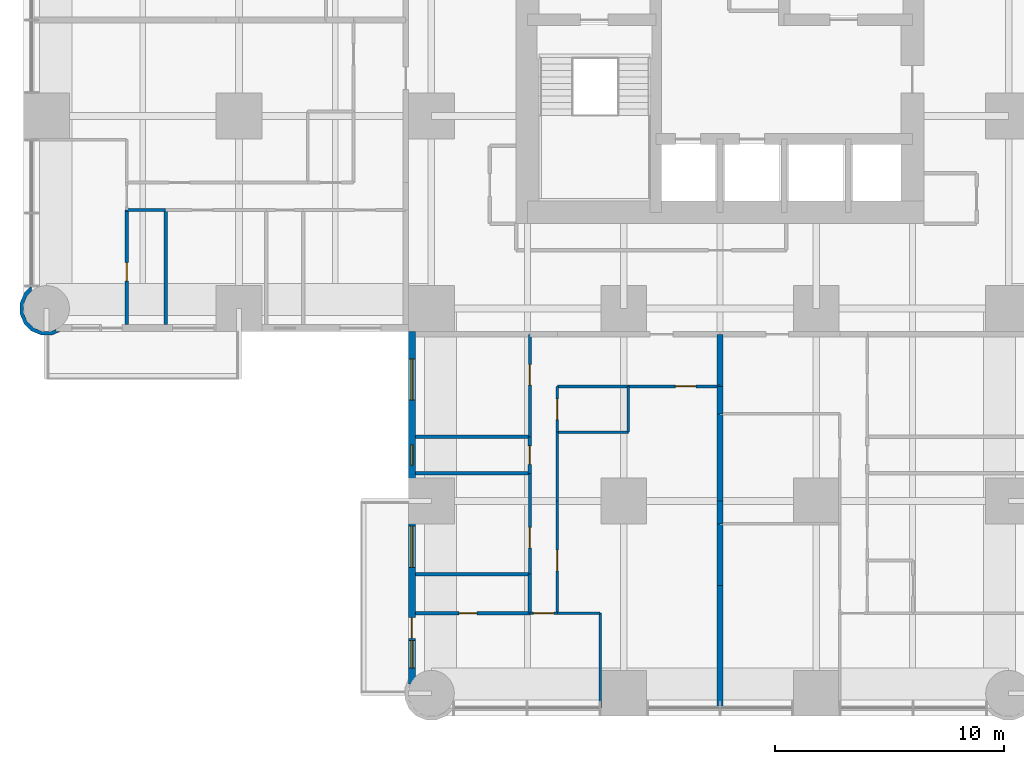
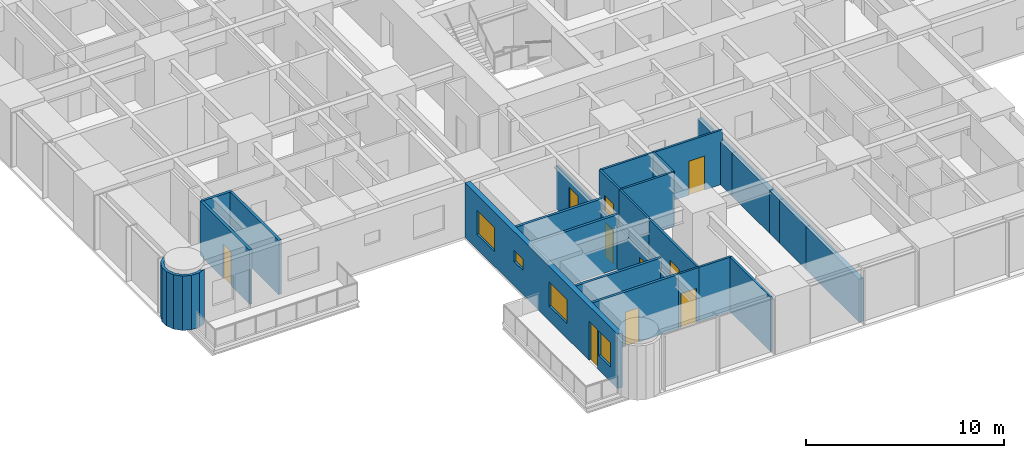
# One storey, part 7 of 17: 29 walls, 10 doors, 4 windows, 14 openings.
"""IFC4 building model written with IfcOpenShell, lengths in metres."""

from ifc_helpers import new_model, si_unit, direction, frame, frame_2d, origin, place, context, subcontext, project, spatial, polyline, rectangle, outline, extrude, material, layer, layer_set, type_object, element, fill, save


model = new_model("IFC4")

# Units and contexts
model_context = context("Model", 3, precision=1e-05, world=origin(), true_north=direction((0.0, 1.0)))
body_context = subcontext(model_context, "Body", "Model", "MODEL_VIEW")
ifc_project = project(units=[si_unit("LENGTHUNIT", "METRE"), si_unit("AREAUNIT", "SQUARE_METRE"), si_unit("VOLUMEUNIT", "CUBIC_METRE"), si_unit("PLANEANGLEUNIT", "RADIAN"), si_unit("MASSUNIT", "GRAM", prefix="KILO")], contexts=[model_context])

# Site, building, storey
site_placement = place(None, origin())
site = spatial("IfcSite", under=ifc_project, at=site_placement, CompositionType="ELEMENT")
building_placement = place(site_placement, origin())
building = spatial("IfcBuilding", under=site, at=building_placement, Name="Torre Alcanfor", CompositionType="ELEMENT")
storey_placement = place(building_placement, frame((0.0, 0.0, 99.300048828125)))
storey = spatial("IfcBuildingStorey", under=building, at=storey_placement, Name="L25", CompositionType="ELEMENT", Elevation=99.300048828125)

# Wall, opening, door
ifc_material_1 = material(Name="Gypsum board on steel studs", Category="steel")
ifc_layer_1 = layer(ifc_material_1, 0.1201171875)
ifc_layer_set_1 = layer_set([ifc_layer_1], Name="Apartment partition 120")
wall_type_1 = type_object("IfcWallType", Name="Apartment partition 120", PredefinedType="PARTITIONING", material=ifc_layer_set_1)
wall_1_placement = place(storey_placement, frame((29.39990234375, 13.39990234375, 0.0), z_axis=(0.0, 0.0, 1.0), x_axis=(-1.0, 0.0, 0.0)))
wall_1 = element("IfcWall", 1, at=wall_1_placement, inside=storey, type_object=wall_type_1, Name="Partition L25-S2-ZAG / L25-S2-KITCHEN", PredefinedType="PARTITIONING", context=body_context, shape_type="SweptSolid", body=[
    extrude(rectangle(XDim=4.0, YDim=0.1201171875, at=frame_2d((2.0, 0.0))), origin(), (0.0, 0.0, 1.0), 3.349853515625),
])
opening_1_placement = place(wall_1_placement, frame((1.050048828125, 0.0, 0.0)))
opening_1 = element("IfcOpeningElement", 2, at=opening_1_placement, cuts=wall_1, Name="Opening D-R1", PredefinedType="OPENING", context=body_context, shape_type="SweptSolid", body=[
    extrude(rectangle(XDim=0.89990234375, YDim=2.10009765625, at=frame_2d((0.449951171875, 1.050048828125))), frame((0.0, 0.070068359375, 0.0), z_axis=(0.0, -1.0, 0.0), x_axis=(1.0, 0.0, 0.0)), (0.0, 0.0, 1.0), 0.14013671875),
])
ifc_material_2 = material(Name="Timber", Category="wood")
door_type_1 = type_object("IfcDoorType", Name="Internal door 900x2100", OperationType="SINGLE_SWING_LEFT", PredefinedType="DOOR", material=ifc_material_2)
door_1_placement = place(opening_1_placement, origin())
door_1 = element("IfcDoor", 3, at=door_1_placement, inside=storey, type_object=door_type_1, Name="Door L25-S2 kitchen", OperationType="SINGLE_SWING_LEFT", OverallHeight=2.10009765625, OverallWidth=0.89990234375, PredefinedType="DOOR", context=body_context, shape_type="SweptSolid", body=[
    extrude(rectangle(XDim=0.89990234375, YDim=2.10009765625, at=frame_2d((0.449951171875, 1.050048828125))), frame((0.0, 0.02490234375, 0.0), z_axis=(0.0, -1.0, 0.0), x_axis=(1.0, 0.0, 0.0)), (0.0, 0.0, 1.0), 0.050048828125),
])
fill(opening_1, door_1)

# Walls
for number, where, z_axis, x_axis, name in (
    (4, (25.39990234375, 13.39990234375, 0.0), (0.0, 0.0, 1.0), (-1.0, 0.0, 0.0), "Partition L25-S2-ZAG / L25-S2-UTIL"),
    (5, (22.300048828125, 11.39990234375, 0.0), (0.0, 0.0, 1.0), (1.0, 0.0, 0.0), "Partition L25-S2-KITCHEN / L25-S2-UTIL"),
):
    element("IfcWall", number, at=place(storey_placement, frame(where, z_axis=z_axis, x_axis=x_axis)), inside=storey, type_object=wall_type_1, Name=name, PredefinedType="PARTITIONING", context=body_context, shape_type="SweptSolid", body=[
        extrude(rectangle(XDim=3.099853515625, YDim=0.1201171875, at=frame_2d((1.5498046875, 0.0))), origin(), (0.0, 0.0, 1.0), 3.349853515625),
    ])
wall_2_placement = place(storey_placement, frame((25.39990234375, 11.39990234375, 0.0), z_axis=(0.0, 0.0, 1.0), x_axis=(0.0, 1.0, 0.0)))
element("IfcWall", 6, at=wall_2_placement, inside=storey, type_object=wall_type_1, Name="Partition L25-S2-KITCHEN / L25-S2-UTIL", PredefinedType="PARTITIONING", context=body_context, shape_type="SweptSolid", body=[
    extrude(rectangle(XDim=2.0, YDim=0.1201171875, at=frame_2d((1.0, 0.0))), origin(), (0.0, 0.0, 1.0), 3.349853515625),
])
wall_3_placement = place(storey_placement, frame((22.300048828125, 8.39990234375, 0.0), z_axis=(0.0, 0.0, 1.0), x_axis=(0.0, 1.0, 0.0)))
element("IfcWall", 7, at=wall_3_placement, inside=storey, type_object=wall_type_1, Name="Partition L25-S2-KITCHEN / L25-S2-HALL", PredefinedType="PARTITIONING", context=body_context, shape_type="SweptSolid", body=[
    extrude(rectangle(XDim=3.0, YDim=0.1201171875, at=frame_2d((1.5, 0.0))), origin(), (0.0, 0.0, 1.0), 3.349853515625),
])

# Wall, opening, door
wall_4_placement = place(storey_placement, frame((22.300048828125, 11.39990234375, 0.0), z_axis=(0.0, 0.0, 1.0), x_axis=(0.0, 1.0, 0.0)))
wall_4 = element("IfcWall", 8, at=wall_4_placement, inside=storey, type_object=wall_type_1, Name="Partition L25-S2-UTIL / L25-S2-HALL", PredefinedType="PARTITIONING", context=body_context, shape_type="SweptSolid", body=[
    extrude(rectangle(XDim=2.0, YDim=0.1201171875, at=frame_2d((1.0, 0.0))), origin(), (0.0, 0.0, 1.0), 3.349853515625),
])
opening_2_placement = place(wall_4_placement, frame((0.550048828125, 0.0, 0.0)))
opening_2 = element("IfcOpeningElement", 9, at=opening_2_placement, cuts=wall_4, Name="Opening D-R1", PredefinedType="OPENING", context=body_context, shape_type="SweptSolid", body=[
    extrude(rectangle(XDim=0.89990234375, YDim=2.10009765625, at=frame_2d((0.449951171875, 1.050048828125))), frame((0.0, 0.070068359375, 0.0), z_axis=(0.0, -1.0, 0.0), x_axis=(1.0, 0.0, 0.0)), (0.0, 0.0, 1.0), 0.14013671875),
])
door_2_placement = place(opening_2_placement, frame((0.89990234375, 0.0, 0.0), z_axis=(0.0, 0.0, 1.0), x_axis=(-1.0, 0.0, 0.0)))
door_2 = element("IfcDoor", 10, at=door_2_placement, inside=storey, type_object=door_type_1, Name="Door L25-S2 util", OperationType="SINGLE_SWING_RIGHT", OverallHeight=2.10009765625, OverallWidth=0.89990234375, PredefinedType="DOOR", context=body_context, shape_type="SweptSolid", body=[
    extrude(rectangle(XDim=0.89990234375, YDim=2.10009765625, at=frame_2d((0.449951171875, 1.050048828125))), frame((0.0, 0.025146484375, 0.0), z_axis=(0.0, -1.0, 0.0), x_axis=(1.0, 0.0, 0.0)), (0.0, 0.0, 1.0), 0.050048828125),
])
fill(opening_2, door_2)

wall_5_placement = place(storey_placement, frame((22.300048828125, 3.5, 0.0), z_axis=(0.0, 0.0, 1.0), x_axis=(0.0, 1.0, 0.0)))
wall_5 = element("IfcWall", 11, at=wall_5_placement, inside=storey, type_object=wall_type_1, Name="Partition L25-S2-LIVING / L25-S2-HALL", PredefinedType="PARTITIONING", context=body_context, shape_type="SweptSolid", body=[
    extrude(rectangle(XDim=4.89990234375, YDim=0.1201171875, at=frame_2d((2.449951171875, 0.0))), origin(), (0.0, 0.0, 1.0), 3.349853515625),
])
opening_3_placement = place(wall_5_placement, frame((1.85009765625, 0.0, 0.0)))
opening_3 = element("IfcOpeningElement", 12, at=opening_3_placement, cuts=wall_5, Name="Opening D-R1", PredefinedType="OPENING", context=body_context, shape_type="SweptSolid", body=[
    extrude(rectangle(XDim=0.89990234375, YDim=2.10009765625, at=frame_2d((0.449951171875, 1.050048828125))), frame((0.0, 0.070068359375, 0.0), z_axis=(0.0, -1.0, 0.0), x_axis=(1.0, 0.0, 0.0)), (0.0, 0.0, 1.0), 0.14013671875),
])
door_3_placement = place(opening_3_placement, frame((0.89990234375, 0.0, 0.0), z_axis=(0.0, 0.0, 1.0), x_axis=(-1.0, 0.0, 0.0)))
door_3 = element("IfcDoor", 13, at=door_3_placement, inside=storey, type_object=door_type_1, Name="Door L25-S2 living", OperationType="SINGLE_SWING_RIGHT", OverallHeight=2.10009765625, OverallWidth=0.89990234375, PredefinedType="DOOR", context=body_context, shape_type="SweptSolid", body=[
    extrude(rectangle(XDim=0.89990234375, YDim=2.10009765625, at=frame_2d((0.449951171875, 1.050048828125))), frame((0.0, 0.025146484375, 0.0), z_axis=(0.0, -1.0, 0.0), x_axis=(1.0, 0.0, 0.0)), (0.0, 0.0, 1.0), 0.050048828125),
])
fill(opening_3, door_3)

# Walls
wall_6_placement = place(storey_placement, frame((24.1708984375, -0.64990234375, 0.0), z_axis=(0.0, 0.0, 1.0), x_axis=(0.0, 1.0, 0.0)))
element("IfcWall", 14, at=wall_6_placement, inside=storey, type_object=wall_type_1, Name="Partition L25-S2-LIVING / L25-S2-MASTER", PredefinedType="PARTITIONING", context=body_context, shape_type="SweptSolid", body=[
    extrude(rectangle(XDim=4.14990234375, YDim=0.1201171875, at=frame_2d((2.074951171875, 0.0))), origin(), (0.0, 0.0, 1.0), 3.349853515625),
])
wall_7_placement = place(storey_placement, frame((24.1708984375, 3.5, 0.0), z_axis=(0.0, 0.0, 1.0), x_axis=(-1.0, 0.0, 0.0)))
element("IfcWall", 15, at=wall_7_placement, inside=storey, type_object=wall_type_1, Name="Partition L25-S2-LIVING / L25-S2-MASTER", PredefinedType="PARTITIONING", context=body_context, shape_type="SweptSolid", body=[
    extrude(rectangle(XDim=1.870849609375, YDim=0.1201171875, at=frame_2d((0.935546875, 0.0))), origin(), (0.0, 0.0, 1.0), 3.349853515625),
])

# Wall, opening, door
wall_8_placement = place(storey_placement, frame((21.10009765625, 11.199951171875, 0.0), z_axis=(0.0, 0.0, 1.0), x_axis=(0.0, 1.0, 0.0)))
wall_8 = element("IfcWall", 16, at=wall_8_placement, inside=storey, type_object=wall_type_1, Name="Partition L25-S2-HALL / L25-S2-BED3", PredefinedType="PARTITIONING", context=body_context, shape_type="SweptSolid", body=[
    extrude(rectangle(XDim=4.47509765625, YDim=0.1201171875, at=frame_2d((2.237548828125, 0.0))), origin(), (0.0, 0.0, 1.0), 2.666748046875),
])
opening_4_placement = place(wall_8_placement, frame((2.25, 0.0, 0.0)))
opening_4 = element("IfcOpeningElement", 17, at=opening_4_placement, cuts=wall_8, Name="Opening D-R1", PredefinedType="OPENING", context=body_context, shape_type="SweptSolid", body=[
    extrude(rectangle(XDim=0.89990234375, YDim=2.10009765625, at=frame_2d((0.449951171875, 1.050048828125))), frame((0.0, 0.070068359375, 0.0), z_axis=(0.0, -1.0, 0.0), x_axis=(1.0, 0.0, 0.0)), (0.0, 0.0, 1.0), 0.14013671875),
])
door_4_placement = place(opening_4_placement, origin())
door_4 = element("IfcDoor", 18, at=door_4_placement, inside=storey, type_object=door_type_1, Name="Door L25-S2 bed3", OperationType="SINGLE_SWING_RIGHT", OverallHeight=2.10009765625, OverallWidth=0.89990234375, PredefinedType="DOOR", context=body_context, shape_type="SweptSolid", body=[
    extrude(rectangle(XDim=0.89990234375, YDim=2.10009765625, at=frame_2d((0.449951171875, 1.050048828125))), frame((0.0, 0.02490234375, 0.0), z_axis=(0.0, -1.0, 0.0), x_axis=(1.0, 0.0, 0.0)), (0.0, 0.0, 1.0), 0.050048828125),
])
fill(opening_4, door_4)

wall_9_placement = place(storey_placement, frame((21.10009765625, 5.199951171875, 0.0), z_axis=(0.0, 0.0, 1.0), x_axis=(0.0, 1.0, 0.0)))
wall_9 = element("IfcWall", 19, at=wall_9_placement, inside=storey, type_object=wall_type_1, Name="Partition L25-S2-HALL / L25-S2-BED2", PredefinedType="PARTITIONING", context=body_context, shape_type="SweptSolid", body=[
    extrude(rectangle(XDim=4.400146484375, YDim=0.1201171875, at=frame_2d((2.2001953125, 0.0))), origin(), (0.0, 0.0, 1.0), 2.666748046875),
])
opening_5_placement = place(wall_9_placement, frame((1.14990234375, 0.0, 0.0)))
opening_5 = element("IfcOpeningElement", 20, at=opening_5_placement, cuts=wall_9, Name="Opening D-R1", PredefinedType="OPENING", context=body_context, shape_type="SweptSolid", body=[
    extrude(rectangle(XDim=0.89990234375, YDim=2.10009765625, at=frame_2d((0.449951171875, 1.050048828125))), frame((0.0, 0.070068359375, 0.0), z_axis=(0.0, -1.0, 0.0), x_axis=(1.0, 0.0, 0.0)), (0.0, 0.0, 1.0), 0.14013671875),
])
door_5_placement = place(opening_5_placement, origin())
door_5 = element("IfcDoor", 21, at=door_5_placement, inside=storey, type_object=door_type_1, Name="Door L25-S2 bed2", OperationType="SINGLE_SWING_LEFT", OverallHeight=2.10009765625, OverallWidth=0.89990234375, PredefinedType="DOOR", context=body_context, shape_type="SweptSolid", body=[
    extrude(rectangle(XDim=0.89990234375, YDim=2.10009765625, at=frame_2d((0.449951171875, 1.050048828125))), frame((0.0, 0.02490234375, 0.0), z_axis=(0.0, -1.0, 0.0), x_axis=(1.0, 0.0, 0.0)), (0.0, 0.0, 1.0), 0.050048828125),
])
fill(opening_5, door_5)

wall_10_placement = place(storey_placement, frame((22.300048828125, 3.5, 0.0), z_axis=(0.0, 0.0, 1.0), x_axis=(-1.0, 0.0, 0.0)))
wall_10 = element("IfcWall", 22, at=wall_10_placement, inside=storey, type_object=wall_type_1, Name="Partition L25-S2-HALL / L25-S2-MASTER", PredefinedType="PARTITIONING", context=body_context, shape_type="SweptSolid", body=[
    extrude(rectangle(XDim=1.199951171875, YDim=0.1201171875, at=frame_2d((0.60009765625, 0.0))), origin(), (0.0, 0.0, 1.0), 3.349853515625),
])
opening_6_placement = place(wall_10_placement, frame((0.14990234375, 0.0, 0.0)))
opening_6 = element("IfcOpeningElement", 23, at=opening_6_placement, cuts=wall_10, Name="Opening D-R1", PredefinedType="OPENING", context=body_context, shape_type="SweptSolid", body=[
    extrude(rectangle(XDim=0.89990234375, YDim=2.10009765625, at=frame_2d((0.449951171875, 1.050048828125))), frame((0.0, 0.070068359375, 0.0), z_axis=(0.0, -1.0, 0.0), x_axis=(1.0, 0.0, 0.0)), (0.0, 0.0, 1.0), 0.14013671875),
])
door_6_placement = place(opening_6_placement, origin())
door_6 = element("IfcDoor", 24, at=door_6_placement, inside=storey, type_object=door_type_1, Name="Door L25-S2 master", OperationType="SINGLE_SWING_LEFT", OverallHeight=2.10009765625, OverallWidth=0.89990234375, PredefinedType="DOOR", context=body_context, shape_type="SweptSolid", body=[
    extrude(rectangle(XDim=0.89990234375, YDim=2.10009765625, at=frame_2d((0.449951171875, 1.050048828125))), frame((0.0, 0.02490234375, 0.0), z_axis=(0.0, -1.0, 0.0), x_axis=(1.0, 0.0, 0.0)), (0.0, 0.0, 1.0), 0.050048828125),
])
fill(opening_6, door_6)

# Wall, openings, door, windows
ifc_material_3 = material(Name="Limestone cladding", Category="masonry")
ifc_layer_2 = layer(ifc_material_3, 0.0400390625, Name="Facing")
ifc_material_4 = material(Name="Ventilated air cavity")
ifc_layer_3 = layer(ifc_material_4, 0.02001953125, ventilated=True, Name="Ventilated joint")
ifc_material_5 = material(Name="Mineral wool insulation", Category="insulation")
ifc_layer_4 = layer(ifc_material_5, 0.10009765625, Name="Insulation")
ifc_material_6 = material(Name="Concrete f'c 35 MPa", Category="concrete")
ifc_layer_5 = layer(ifc_material_6, 0.139892578125, Name="Backing")
ifc_layer_set_2 = layer_set([ifc_layer_2, ifc_layer_3, ifc_layer_4, ifc_layer_5], Name="External wall stone-clad 300")
wall_type_2 = type_object("IfcWallType", Name="External wall stone-clad 300", PredefinedType="SOLIDWALL", material=ifc_layer_set_2)
wall_11_placement = place(storey_placement, frame((15.949951171875, 15.800048828125, 0.0), z_axis=(0.0, 0.0, 1.0), x_axis=(0.0, -1.0, 0.0)))
wall_11 = element("IfcWall", 25, at=wall_11_placement, inside=storey, type_object=wall_type_2, Name="External wall L25 4", PredefinedType="SOLIDWALL", context=body_context, shape_type="SweptSolid", body=[
    extrude(rectangle(XDim=15.400146484375, YDim=0.300048828125, at=frame_2d((7.7001953125, 0.0))), origin(), (0.0, 0.0, 1.0), 3.349853515625),
])
opening_7_placement = place(wall_11_placement, frame((1.199951171875, 0.0, 0.89990234375)))
opening_7 = element("IfcOpeningElement", 26, at=opening_7_placement, cuts=wall_11, Name="Opening W2", PredefinedType="OPENING", context=body_context, shape_type="SweptSolid", body=[
    extrude(rectangle(XDim=1.800048828125, YDim=1.5, at=frame_2d((0.89990234375, 0.75))), frame((0.0, 0.159912109375, 0.0), z_axis=(0.0, -1.0, 0.0), x_axis=(1.0, 0.0, 0.0)), (0.0, 0.0, 1.0), 0.320068359375),
])
opening_8_placement = place(wall_11_placement, frame((4.949951171875, 0.0, 1.5)))
opening_8 = element("IfcOpeningElement", 27, at=opening_8_placement, cuts=wall_11, Name="Opening W3", PredefinedType="OPENING", context=body_context, shape_type="SweptSolid", body=[
    extrude(rectangle(XDim=0.89990234375, YDim=0.699951171875, at=frame_2d((0.449951171875, 0.35009765625))), frame((0.0, 0.159912109375, 0.0), z_axis=(0.0, -1.0, 0.0), x_axis=(1.0, 0.0, 0.0)), (0.0, 0.0, 1.0), 0.320068359375),
])
opening_9_placement = place(wall_11_placement, frame((8.5, 0.0, 0.89990234375)))
opening_9 = element("IfcOpeningElement", 28, at=opening_9_placement, cuts=wall_11, Name="Opening W2", PredefinedType="OPENING", context=body_context, shape_type="SweptSolid", body=[
    extrude(rectangle(XDim=1.800048828125, YDim=1.5, at=frame_2d((0.89990234375, 0.75))), frame((0.0, 0.159912109375, 0.0), z_axis=(0.0, -1.0, 0.0), x_axis=(1.0, 0.0, 0.0)), (0.0, 0.0, 1.0), 0.320068359375),
])
opening_10_placement = place(wall_11_placement, frame((12.5, 0.0, 0.0)))
opening_10 = element("IfcOpeningElement", 29, at=opening_10_placement, cuts=wall_11, Name="Opening D-B1", PredefinedType="OPENING", context=body_context, shape_type="SweptSolid", body=[
    extrude(rectangle(XDim=0.89990234375, YDim=2.39990234375, at=frame_2d((0.449951171875, 1.199951171875))), frame((0.0, 0.159912109375, 0.0), z_axis=(0.0, -1.0, 0.0), x_axis=(1.0, 0.0, 0.0)), (0.0, 0.0, 1.0), 0.320068359375),
])
opening_11_placement = place(wall_11_placement, frame((13.5, 0.0, 0.89990234375)))
opening_11 = element("IfcOpeningElement", 30, at=opening_11_placement, cuts=wall_11, Name="Opening W4", PredefinedType="OPENING", context=body_context, shape_type="SweptSolid", body=[
    extrude(rectangle(XDim=1.199951171875, YDim=1.5, at=frame_2d((0.60009765625, 0.75))), frame((0.0, 0.159912109375, 0.0), z_axis=(0.0, -1.0, 0.0), x_axis=(1.0, 0.0, 0.0)), (0.0, 0.0, 1.0), 0.320068359375),
])
ifc_material_7 = material(Name="Aluminium and glass", Category="aluminium")
door_type_2 = type_object("IfcDoorType", Name="Balcony door glazed 900x2400", OperationType="SINGLE_SWING_LEFT", PredefinedType="DOOR", material=ifc_material_7)
door_7_placement = place(opening_10_placement, origin())
door_7 = element("IfcDoor", 31, at=door_7_placement, inside=storey, type_object=door_type_2, Name="Balcony door L25-S2", OperationType="SINGLE_SWING_LEFT", OverallHeight=2.39990234375, OverallWidth=0.89990234375, PredefinedType="DOOR", context=body_context, shape_type="SweptSolid", body=[
    extrude(rectangle(XDim=0.89990234375, YDim=2.39990234375, at=frame_2d((0.449951171875, 1.199951171875))), frame((0.0, 0.02490234375, 0.0), z_axis=(0.0, -1.0, 0.0), x_axis=(1.0, 0.0, 0.0)), (0.0, 0.0, 1.0), 0.050048828125),
])
fill(opening_10, door_7)
ifc_material_8 = material(Name="Aluminium frame with clear double glazing", Category="aluminium")
window_type_1 = type_object("IfcWindowType", Name="Window bathroom 900x700", PartitioningType="SINGLE_PANEL", PredefinedType="WINDOW", material=ifc_material_8)
window_1_placement = place(opening_8_placement, origin())
window_1 = element("IfcWindow", 32, at=window_1_placement, inside=storey, type_object=window_type_1, Name="Window W3 L25-S2", OverallHeight=0.699951171875, OverallWidth=0.89990234375, PartitioningType="SINGLE_PANEL", PredefinedType="WINDOW", context=body_context, shape_type="SweptSolid", body=[
    extrude(rectangle(XDim=0.89990234375, YDim=0.699951171875, at=frame_2d((0.449951171875, 0.35009765625))), frame((0.0, 0.030029296875, 0.0), z_axis=(0.0, -1.0, 0.0), x_axis=(1.0, 0.0, 0.0)), (0.0, 0.0, 1.0), 0.06005859375),
])
fill(opening_8, window_1)
ifc_material_9 = material(Name="Aluminium frame with clear double glazing", Category="aluminium")
window_type_2 = type_object("IfcWindowType", Name="Window bedroom 1200x1500", PartitioningType="SINGLE_PANEL", PredefinedType="WINDOW", material=ifc_material_9)
window_2_placement = place(opening_11_placement, origin())
window_2 = element("IfcWindow", 33, at=window_2_placement, inside=storey, type_object=window_type_2, Name="Window W4 L25-S2", OverallHeight=1.5, OverallWidth=1.199951171875, PartitioningType="SINGLE_PANEL", PredefinedType="WINDOW", context=body_context, shape_type="SweptSolid", body=[
    extrude(rectangle(XDim=1.199951171875, YDim=1.5, at=frame_2d((0.60009765625, 0.75))), frame((0.0, 0.030029296875, 0.0), z_axis=(0.0, -1.0, 0.0), x_axis=(1.0, 0.0, 0.0)), (0.0, 0.0, 1.0), 0.06005859375),
])
fill(opening_11, window_2)
ifc_material_10 = material(Name="Aluminium frame with clear double glazing", Category="aluminium")
window_type_3 = type_object("IfcWindowType", Name="Window bedroom 1800x1500", PartitioningType="SINGLE_PANEL", PredefinedType="WINDOW", material=ifc_material_10)
window_3_placement = place(opening_7_placement, origin())
window_3 = element("IfcWindow", 34, at=window_3_placement, inside=storey, type_object=window_type_3, Name="Window W2 L25-S2", OverallHeight=1.5, OverallWidth=1.800048828125, PartitioningType="SINGLE_PANEL", PredefinedType="WINDOW", context=body_context, shape_type="SweptSolid", body=[
    extrude(rectangle(XDim=1.800048828125, YDim=1.5, at=frame_2d((0.89990234375, 0.75))), frame((0.0, 0.030029296875, 0.0), z_axis=(0.0, -1.0, 0.0), x_axis=(1.0, 0.0, 0.0)), (0.0, 0.0, 1.0), 0.06005859375),
])
fill(opening_7, window_3)
window_4_placement = place(opening_9_placement, origin())
window_4 = element("IfcWindow", 35, at=window_4_placement, inside=storey, type_object=window_type_3, Name="Window W2 L25-S2", OverallHeight=1.5, OverallWidth=1.800048828125, PartitioningType="SINGLE_PANEL", PredefinedType="WINDOW", context=body_context, shape_type="SweptSolid", body=[
    extrude(rectangle(XDim=1.800048828125, YDim=1.5, at=frame_2d((0.89990234375, 0.75))), frame((0.0, 0.030029296875, 0.0), z_axis=(0.0, -1.0, 0.0), x_axis=(1.0, 0.0, 0.0)), (0.0, 0.0, 1.0), 0.06005859375),
])
fill(opening_9, window_4)

# Walls
ifc_material_11 = material(Name="Concrete block masonry, hollow blocks NMX-C-404 9 MPa", Category="masonry")
ifc_layer_6 = layer(ifc_material_11, 0.25)
ifc_layer_set_3 = layer_set([ifc_layer_6], Name="Party wall 250 EI 60")
wall_type_3 = type_object("IfcWallType", Name="Party wall 250 EI 60", PredefinedType="PARTITIONING", material=ifc_layer_set_3)
wall_12_placement = place(storey_placement, frame((29.39990234375, 15.675048828125, 0.0), z_axis=(0.0, 0.0, 1.0), x_axis=(0.0, -1.0, 0.0)))
element("IfcWall", 36, at=wall_12_placement, inside=storey, type_object=wall_type_3, Name="Partition L25-S1-ZAG / L25-S2-ZAG", PredefinedType="PARTITIONING", context=body_context, shape_type="SweptSolid", body=[
    extrude(rectangle(XDim=2.275146484375, YDim=0.25, at=frame_2d((1.1376953125, 0.0))), origin(), (0.0, 0.0, 1.0), 2.666748046875),
])
wall_13_placement = place(storey_placement, frame((29.39990234375, 13.39990234375, 0.0), z_axis=(0.0, 0.0, 1.0), x_axis=(0.0, -1.0, 0.0)))
element("IfcWall", 37, at=wall_13_placement, inside=storey, type_object=wall_type_3, Name="Partition L25-S1-ZAG / L25-S2-KITCHEN", PredefinedType="PARTITIONING", context=body_context, shape_type="SweptSolid", body=[
    extrude(rectangle(XDim=1.199951171875, YDim=0.25, at=frame_2d((0.60009765625, 0.0))), origin(), (0.0, 0.0, 1.0), 2.666748046875),
])
wall_14_placement = place(storey_placement, frame((29.39990234375, 12.199951171875, 0.0), z_axis=(0.0, 0.0, 1.0), x_axis=(0.0, -1.0, 0.0)))
element("IfcWall", 38, at=wall_14_placement, inside=storey, type_object=wall_type_3, Name="Partition L25-S1-FAMILY / L25-S2-KITCHEN", PredefinedType="PARTITIONING", context=body_context, shape_type="SweptSolid", body=[
    extrude(rectangle(XDim=3.800048828125, YDim=0.25, at=frame_2d((1.89990234375, 0.0))), origin(), (0.0, 0.0, 1.0), 2.666748046875),
])
wall_15_placement = place(storey_placement, frame((29.39990234375, 8.39990234375, 0.0), z_axis=(0.0, 0.0, 1.0), x_axis=(0.0, -1.0, 0.0)))
element("IfcWall", 39, at=wall_15_placement, inside=storey, type_object=wall_type_3, Name="Partition L25-S1-FAMILY / L25-S2-LIVING", PredefinedType="PARTITIONING", context=body_context, shape_type="SweptSolid", body=[
    extrude(rectangle(XDim=1.0, YDim=0.25, at=frame_2d((0.5, 0.0))), origin(), (0.0, 0.0, 1.0), 2.666748046875),
])
wall_16_placement = place(storey_placement, frame((29.39990234375, 7.39990234375, 0.0), z_axis=(0.0, 0.0, 1.0), x_axis=(0.0, -1.0, 0.0)))
element("IfcWall", 40, at=wall_16_placement, inside=storey, type_object=wall_type_3, Name="Partition L25-S1-KITCHEN / L25-S2-LIVING", PredefinedType="PARTITIONING", context=body_context, shape_type="SweptSolid", body=[
    extrude(rectangle(XDim=2.699951171875, YDim=0.25, at=frame_2d((1.35009765625, 0.0))), origin(), (0.0, 0.0, 1.0), 2.666748046875),
])
wall_17_placement = place(storey_placement, frame((29.39990234375, 4.699951171875, 0.0), z_axis=(0.0, 0.0, 1.0), x_axis=(0.0, -1.0, 0.0)))
element("IfcWall", 41, at=wall_17_placement, inside=storey, type_object=wall_type_3, Name="Partition L25-S1-LIVING / L25-S2-LIVING", PredefinedType="PARTITIONING", context=body_context, shape_type="SweptSolid", body=[
    extrude(rectangle(XDim=5.349853515625, YDim=0.25, at=frame_2d((2.6748046875, 0.0))), origin(), (0.0, 0.0, 1.0), 2.666748046875),
])
ifc_layer_7 = layer(ifc_material_3, 0.0400390625, Name="Facing")
ifc_layer_8 = layer(ifc_material_4, 0.02001953125, ventilated=True, Name="Ventilated joint")
ifc_layer_9 = layer(ifc_material_5, 0.10009765625, Name="Insulation")
ifc_layer_10 = layer(ifc_material_6, 0.139892578125, Name="Backing")
ifc_layer_set_4 = layer_set([ifc_layer_7, ifc_layer_8, ifc_layer_9, ifc_layer_10], Name="Rounded corner pier stone-clad 300")
wall_type_4 = type_object("IfcWallType", Name="Rounded corner pier stone-clad 300", PredefinedType="SOLIDWALL", material=ifc_layer_set_4)
wall_18_placement = place(storey_placement, frame((-0.643275148, 17.667523535, 0.0), z_axis=(0.0, 0.0, 1.0), x_axis=(-0.831199417842, -0.555974394895, 0.0)))
element("IfcWall", 42, at=wall_18_placement, inside=storey, type_object=wall_type_4, Name="Corner pier L25 14", PredefinedType="SOLIDWALL", context=body_context, shape_type="SweptSolid", body=[
    extrude(outline(polyline([(0.1711795962868794, 2.1322238639333237), (0.11331991434814137, 2.066360534784921), (0.3385306263274189, 2.0214606425143806), (0.6697116443740095, 1.7999395945485634), (0.8906243154815436, 1.4688932382387638), (0.9683014763401089, 1.0782762019885972), (0.890375456717919, 0.687762152891243), (0.6689901446883555, 0.356784064390024), (0.33780805244230216, 0.13566846373711833), (0.06213435039934877, 0.08097286591496783), (-0.035866995575724744, -0.06554226584338904), (0.004515983953240654, -0.09255371715784835), (0.3997386010099072, -0.014138775317001168), (0.7834516070123592, 0.2420391289906345), (1.039992526531596, 0.6255759697431199), (1.1304051458628446, 1.0782309674187813), (1.040431554535663, 1.5308237868063688), (0.7843893861642811, 1.9147397223541924), (0.4008525454117956, 2.1712806418734294), (-0.009224769548548784, 2.2528931112627424), (0.1711795962868794, 2.1322238639333237)])), origin(), (0.0, 0.0, 1.0), 3.349853515625),
])

# Wall, opening, door
ifc_material_12 = material(Name="Cement board on steel studs", Category="steel")
ifc_layer_11 = layer(ifc_material_12, 0.14990234375)
ifc_layer_set_5 = layer_set([ifc_layer_11], Name="Wet area partition 150")
wall_type_5 = type_object("IfcWallType", Name="Wet area partition 150", PredefinedType="PARTITIONING", material=ifc_layer_set_5)
wall_19_placement = place(storey_placement, frame((21.10009765625, 9.60009765625, 0.0), z_axis=(0.0, 0.0, 1.0), x_axis=(0.0, 1.0, 0.0)))
wall_19 = element("IfcWall", 43, at=wall_19_placement, inside=storey, type_object=wall_type_5, Name="Partition L25-S2-HALL / L25-S2-BATH1", PredefinedType="PARTITIONING", context=body_context, shape_type="SweptSolid", body=[
    extrude(rectangle(XDim=1.599853515625, YDim=0.14990234375, at=frame_2d((0.7998046875, 0.0))), origin(), (0.0, 0.0, 1.0), 2.666748046875),
])
opening_12_placement = place(wall_19_placement, frame((0.39990234375, 0.0, 0.0)))
opening_12 = element("IfcOpeningElement", 44, at=opening_12_placement, cuts=wall_19, Name="Opening D-R2", PredefinedType="OPENING", context=body_context, shape_type="SweptSolid", body=[
    extrude(rectangle(XDim=0.800048828125, YDim=2.10009765625, at=frame_2d((0.39990234375, 1.050048828125))), frame((0.0, 0.0849609375, 0.0), z_axis=(0.0, -1.0, 0.0), x_axis=(1.0, 0.0, 0.0)), (0.0, 0.0, 1.0), 0.169921875),
])
ifc_material_13 = material(Name="Timber", Category="wood")
door_type_3 = type_object("IfcDoorType", Name="Bathroom door 800x2100", OperationType="SINGLE_SWING_LEFT", PredefinedType="DOOR", material=ifc_material_13)
door_8_placement = place(opening_12_placement, origin())
door_8 = element("IfcDoor", 45, at=door_8_placement, inside=storey, type_object=door_type_3, Name="Door L25-S2 bath1", OperationType="SINGLE_SWING_LEFT", OverallHeight=2.10009765625, OverallWidth=0.800048828125, PredefinedType="DOOR", context=body_context, shape_type="SweptSolid", body=[
    extrude(rectangle(XDim=0.800048828125, YDim=2.10009765625, at=frame_2d((0.39990234375, 1.050048828125))), frame((0.0, 0.02490234375, 0.0), z_axis=(0.0, -1.0, 0.0), x_axis=(1.0, 0.0, 0.0)), (0.0, 0.0, 1.0), 0.050048828125),
])
fill(opening_12, door_8)

# Walls
wall_20_placement = place(storey_placement, frame((21.10009765625, 3.5, 0.0), z_axis=(0.0, 0.0, 1.0), x_axis=(0.0, 1.0, 0.0)))
element("IfcWall", 46, at=wall_20_placement, inside=storey, type_object=wall_type_5, Name="Partition L25-S2-HALL / L25-S2-ENSBATH", PredefinedType="PARTITIONING", context=body_context, shape_type="SweptSolid", body=[
    extrude(rectangle(XDim=1.699951171875, YDim=0.14990234375, at=frame_2d((0.85009765625, 0.0))), origin(), (0.0, 0.0, 1.0), 2.666748046875),
])
for number, where, z_axis, x_axis, name in (
    (47, (21.10009765625, 11.199951171875, 0.0), (0.0, 0.0, 1.0), (-1.0, 0.0, 0.0), "Partition L25-S2-BED3 / L25-S2-BATH1"),
    (48, (21.10009765625, 9.60009765625, 0.0), (0.0, 0.0, 1.0), (-1.0, 0.0, 0.0), "Partition L25-S2-BATH1 / L25-S2-BED2"),
    (49, (21.10009765625, 5.199951171875, 0.0), (0.0, 0.0, 1.0), (-1.0, 0.0, 0.0), "Partition L25-S2-BED2 / L25-S2-ENSBATH"),
):
    element("IfcWall", number, at=place(storey_placement, frame(where, z_axis=z_axis, x_axis=x_axis)), inside=storey, type_object=wall_type_5, Name=name, PredefinedType="PARTITIONING", context=body_context, shape_type="SweptSolid", body=[
        extrude(rectangle(XDim=5.0, YDim=0.14990234375, at=frame_2d((2.5, 0.0))), origin(), (0.0, 0.0, 1.0), 3.349853515625),
    ])

# Wall, opening, door
wall_21_placement = place(storey_placement, frame((21.10009765625, 3.5, 0.0), z_axis=(0.0, 0.0, 1.0), x_axis=(-1.0, 0.0, 0.0)))
wall_21 = element("IfcWall", 50, at=wall_21_placement, inside=storey, type_object=wall_type_5, Name="Partition L25-S2-ENSBATH / L25-S2-MASTER", PredefinedType="PARTITIONING", context=body_context, shape_type="SweptSolid", body=[
    extrude(rectangle(XDim=5.0, YDim=0.14990234375, at=frame_2d((2.5, 0.0))), origin(), (0.0, 0.0, 1.0), 3.349853515625),
])
opening_13_placement = place(wall_21_placement, frame((2.300048828125, 0.0, 0.0)))
opening_13 = element("IfcOpeningElement", 51, at=opening_13_placement, cuts=wall_21, Name="Opening D-R2", PredefinedType="OPENING", context=body_context, shape_type="SweptSolid", body=[
    extrude(rectangle(XDim=0.800048828125, YDim=2.10009765625, at=frame_2d((0.39990234375, 1.050048828125))), frame((0.0, 0.0849609375, 0.0), z_axis=(0.0, -1.0, 0.0), x_axis=(1.0, 0.0, 0.0)), (0.0, 0.0, 1.0), 0.169921875),
])
door_9_placement = place(opening_13_placement, frame((0.800048828125, 0.0, 0.0), z_axis=(0.0, 0.0, 1.0), x_axis=(-1.0, 0.0, 0.0)))
door_9 = element("IfcDoor", 52, at=door_9_placement, inside=storey, type_object=door_type_3, Name="Door L25-S2 ensbath", OperationType="SINGLE_SWING_LEFT", OverallHeight=2.10009765625, OverallWidth=0.800048828125, PredefinedType="DOOR", context=body_context, shape_type="SweptSolid", body=[
    extrude(rectangle(XDim=0.800048828125, YDim=2.10009765625, at=frame_2d((0.400146484375, 1.050048828125))), frame((0.0, 0.025146484375, 0.0), z_axis=(0.0, -1.0, 0.0), x_axis=(1.0, 0.0, 0.0)), (0.0, 0.0, 1.0), 0.050048828125),
])
fill(opening_13, door_9)

# Walls
wall_22_placement = place(storey_placement, frame((3.5, 21.10009765625, 0.0), z_axis=(0.0, 0.0, 1.0), x_axis=(1.0, 0.0, 0.0)))
element("IfcWall", 53, at=wall_22_placement, inside=storey, type_object=wall_type_5, Name="Partition L25-W1-HALL / L25-W1-ENSBATH", PredefinedType="PARTITIONING", context=body_context, shape_type="SweptSolid", body=[
    extrude(rectangle(XDim=1.699951171875, YDim=0.14990234375, at=frame_2d((0.85009765625, 0.0))), origin(), (0.0, 0.0, 1.0), 3.349853515625),
])
wall_23_placement = place(storey_placement, frame((5.199951171875, 21.10009765625, 0.0), z_axis=(0.0, 0.0, 1.0), x_axis=(0.0, -1.0, 0.0)))
element("IfcWall", 54, at=wall_23_placement, inside=storey, type_object=wall_type_5, Name="Partition L25-W1-BED2 / L25-W1-ENSBATH", PredefinedType="PARTITIONING", context=body_context, shape_type="SweptSolid", body=[
    extrude(rectangle(XDim=5.0, YDim=0.14990234375, at=frame_2d((2.5, 0.0))), origin(), (0.0, 0.0, 1.0), 3.349853515625),
])

# Wall, opening, door
wall_24_placement = place(storey_placement, frame((3.5, 21.10009765625, 0.0), z_axis=(0.0, 0.0, 1.0), x_axis=(0.0, -1.0, 0.0)))
wall_24 = element("IfcWall", 55, at=wall_24_placement, inside=storey, type_object=wall_type_5, Name="Partition L25-W1-ENSBATH / L25-W1-MASTER", PredefinedType="PARTITIONING", context=body_context, shape_type="SweptSolid", body=[
    extrude(rectangle(XDim=5.0, YDim=0.14990234375, at=frame_2d((2.5, 0.0))), origin(), (0.0, 0.0, 1.0), 3.349853515625),
])
opening_14_placement = place(wall_24_placement, frame((2.300048828125, 0.0, 0.0)))
opening_14 = element("IfcOpeningElement", 56, at=opening_14_placement, cuts=wall_24, Name="Opening D-R2", PredefinedType="OPENING", context=body_context, shape_type="SweptSolid", body=[
    extrude(rectangle(XDim=0.800048828125, YDim=2.10009765625, at=frame_2d((0.39990234375, 1.050048828125))), frame((0.0, 0.0849609375, 0.0), z_axis=(0.0, -1.0, 0.0), x_axis=(1.0, 0.0, 0.0)), (0.0, 0.0, 1.0), 0.169921875),
])
door_10_placement = place(opening_14_placement, origin())
door_10 = element("IfcDoor", 57, at=door_10_placement, inside=storey, type_object=door_type_3, Name="Door L25-W1 ensbath", OperationType="SINGLE_SWING_RIGHT", OverallHeight=2.10009765625, OverallWidth=0.800048828125, PredefinedType="DOOR", context=body_context, shape_type="SweptSolid", body=[
    extrude(rectangle(XDim=0.800048828125, YDim=2.10009765625, at=frame_2d((0.39990234375, 1.050048828125))), frame((0.0, 0.02490234375, 0.0), z_axis=(0.0, -1.0, 0.0), x_axis=(1.0, 0.0, 0.0)), (0.0, 0.0, 1.0), 0.050048828125),
])
fill(opening_14, door_10)

save(model, "model.ifc")
